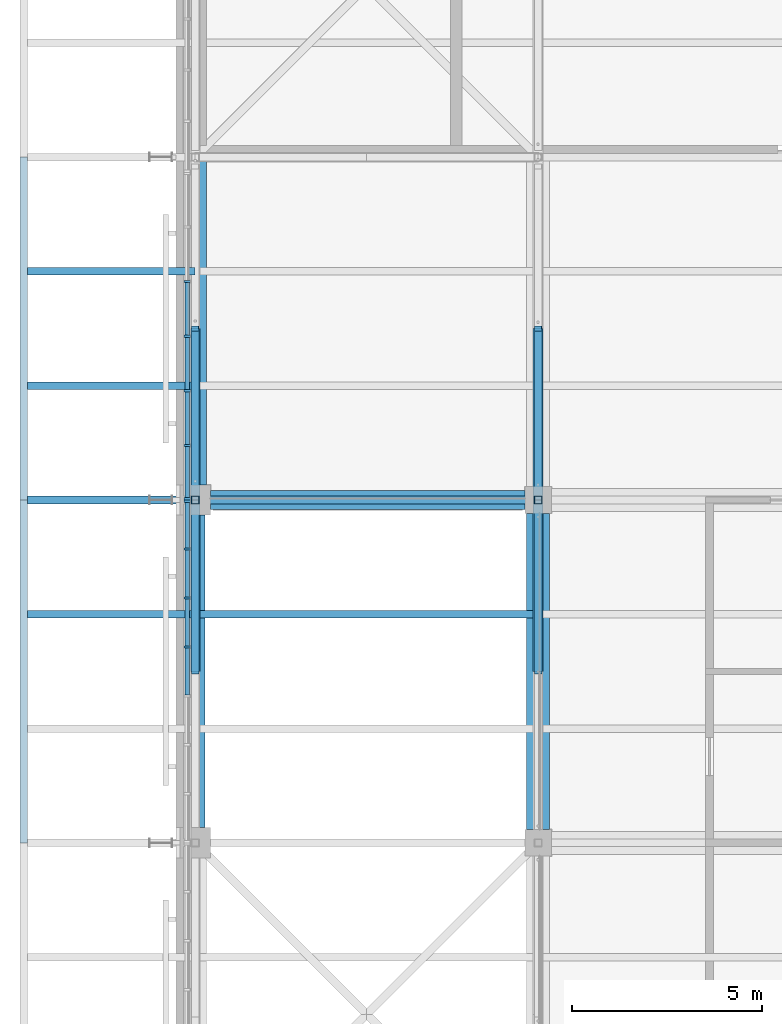
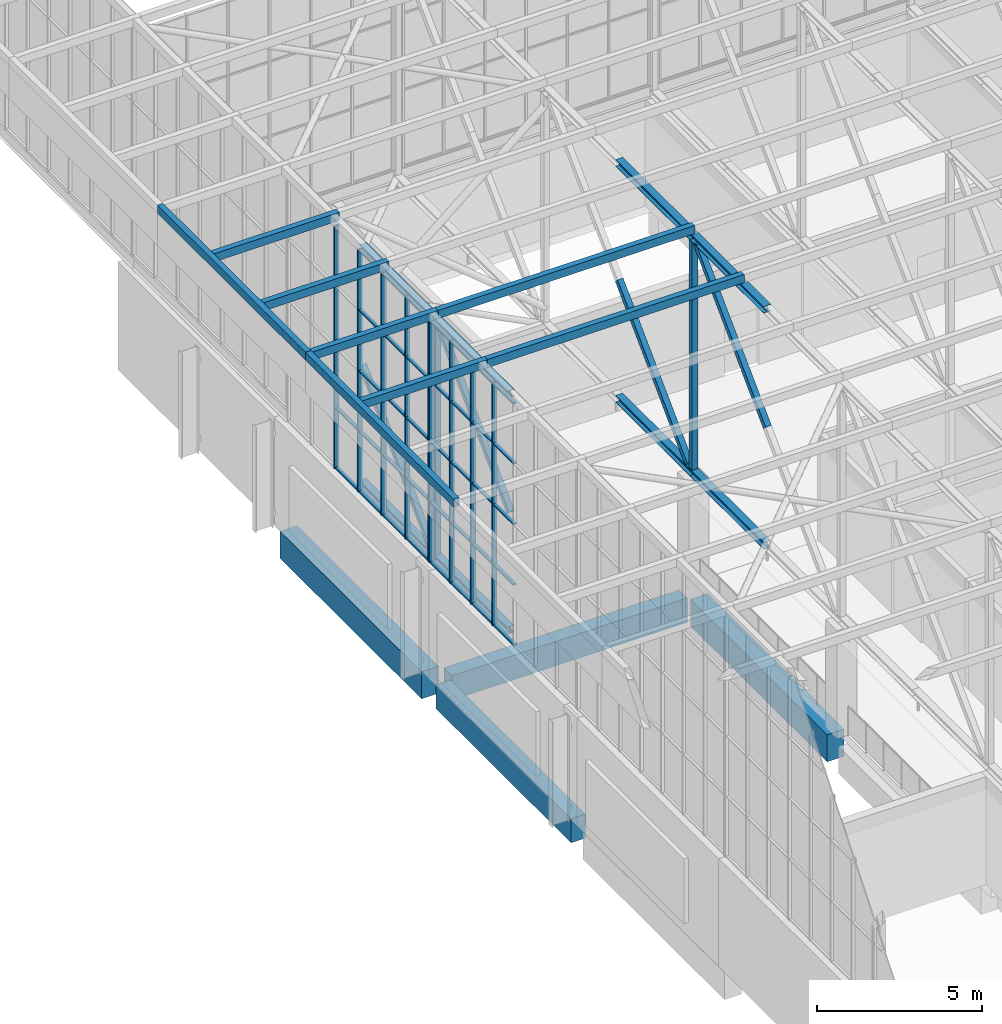
# One storey, part 62 of 646: 70 members, 4 beams, 2 elements without a shape of their own.
"""IFC4 building model written with IfcOpenShell, lengths in metres."""

import ifcopenshell
import ifcopenshell.guid

model = None  # the IFC model being written
_history = None  # IfcOwnerHistory: only IFC2X3 demands one
_inside = {}  # id of a spatial element -> (the spatial element, [elements in it])
_under = {}  # id of a project, library or spatial element -> (it, [spatial elements below it])
_declared = {}  # id of a project -> (the project, [libraries it declares])
_typed = {}  # id of a type object -> (the type object, [elements of that type])
_made_of = {}  # id of a material, layer set ... -> (it, [elements and type objects made of it])


def new_model(schema):
    """Start an empty IFC model of exactly this schema.

    Asked for "IFC4X3", IfcOpenShell would pick the latest addendum, in which some entities
    have other attributes; the version numbers below select the first issue.
    IFC2X3 requires an IfcOwnerHistory on every rooted entity: one is made here for all.
    """
    global model, _history
    if schema == "IFC4X3":
        model = ifcopenshell.file(schema_version=(4, 3, 0, 0))
    else:
        model = ifcopenshell.file(schema=schema)
    _inside.clear()
    _under.clear()
    _declared.clear()
    _typed.clear()
    _made_of.clear()
    _history = None
    if model.schema == "IFC2X3":
        org = make("IfcOrganization", Name="unknown")
        user = make(
            "IfcPersonAndOrganization",
            ThePerson=make("IfcPerson", FamilyName="unknown"),
            TheOrganization=org,
        )
        app = make(
            "IfcApplication",
            ApplicationDeveloper=org,
            Version="unknown",
            ApplicationFullName="unknown",
            ApplicationIdentifier="unknown",
        )
        _history = make(
            "IfcOwnerHistory",
            OwningUser=user,
            OwningApplication=app,
            ChangeAction="ADDED",
            CreationDate=0,
        )
    return model


def make(cls, **values):
    """One entity of the class cls with the attributes given. An attribute that is None is left unset."""
    return model.create_entity(
        cls, **{name: value for name, value in values.items() if value is not None}
    )


def rooted(cls, **values):
    """An entity with a GlobalId (a new one), such as an element, a storey or a relation."""
    return make(cls, GlobalId=ifcopenshell.guid.new(), OwnerHistory=_history, **values)


def si_unit(unit_type, name, prefix=None):
    """IfcSIUnit, for example si_unit("LENGTHUNIT", "METRE", prefix="MILLI")."""
    return make("IfcSIUnit", UnitType=unit_type, Prefix=prefix, Name=name)


def assignment(units):
    """IfcUnitAssignment: the units of a project."""
    return None if units is None else make("IfcUnitAssignment", Units=units)


def point(xyz):
    """IfcCartesianPoint."""
    return None if xyz is None else make("IfcCartesianPoint", Coordinates=xyz)


def direction(xyz):
    """IfcDirection."""
    return None if xyz is None else make("IfcDirection", DirectionRatios=xyz)


def frame(location, z_axis=None, x_axis=None):
    """IfcAxis2Placement3D, a coordinate frame: its origin and axes. An axis left out is left unset."""
    return make(
        "IfcAxis2Placement3D",
        Location=point(location),
        Axis=direction(z_axis),
        RefDirection=direction(x_axis),
    )


def frame_2d(location, x_axis=None):
    """IfcAxis2Placement2D, a coordinate frame in the plane: its origin and x axis."""
    return make(
        "IfcAxis2Placement2D", Location=point(location), RefDirection=direction(x_axis)
    )


def origin():
    """The frame at (0, 0, 0) with its axes left unset."""
    return frame((0.0, 0.0, 0.0))


def origin_2d():
    """The frame at (0, 0) in the plane with its x axis left unset."""
    return frame_2d((0.0, 0.0))


def place(relative_to, where):
    """IfcLocalPlacement: puts the frame where relative to a parent placement (None: the world)."""
    return make(
        "IfcLocalPlacement", PlacementRelTo=relative_to, RelativePlacement=where
    )


def context(
    kind, dimensions, precision=None, world=None, true_north=None, identifier=None
):
    """IfcGeometricRepresentationContext, for example the 3D "Model" context."""
    return make(
        "IfcGeometricRepresentationContext",
        ContextIdentifier=identifier,
        ContextType=kind,
        CoordinateSpaceDimension=dimensions,
        Precision=precision,
        WorldCoordinateSystem=world,
        TrueNorth=true_north,
    )


def subcontext(parent, identifier, kind, view, scale=None):
    """IfcGeometricRepresentationSubContext, for example "Body" below "Model"."""
    return make(
        "IfcGeometricRepresentationSubContext",
        ContextIdentifier=identifier,
        ContextType=kind,
        ParentContext=parent,
        TargetScale=scale,
        TargetView=view,
    )


def project(units=None, contexts=None):
    """IfcProject with its units and contexts."""
    return rooted(
        "IfcProject",
        Name="project",
        RepresentationContexts=contexts,
        UnitsInContext=assignment(units),
    )


def spatial(cls, under=None, at=None, **own):
    """A site, building, storey or space (cls), placed at a placement, below another one or the project."""
    s = rooted(cls, ObjectPlacement=at, **own)
    if under is not None:
        _under.setdefault(under.id(), (under, []))[1].append(s)
    return s


def profile(cls, at=None, kind="AREA", **sizes):
    """A parametric profile (cls). Its sizes go by their IFC names, for example OverallWidth=200.0."""
    return make(cls, ProfileType=kind, Position=at, **sizes)


def rectangle(**sizes):
    """IfcRectangleProfileDef."""
    return profile("IfcRectangleProfileDef", **sizes)


def hollow_rectangle(**sizes):
    """IfcRectangleHollowProfileDef."""
    return profile("IfcRectangleHollowProfileDef", **sizes)


def i_section(**sizes):
    """IfcIShapeProfileDef."""
    return profile("IfcIShapeProfileDef", **sizes)


def extrude(swept, where, along, depth):
    """IfcExtrudedAreaSolid: the profile swept, set in the frame where, extruded along a direction by depth."""
    return make(
        "IfcExtrudedAreaSolid",
        SweptArea=swept,
        Position=where,
        ExtrudedDirection=direction(along),
        Depth=depth,
    )


def shape(context_of_items, identifier, shape_type, items):
    """IfcShapeRepresentation: the items that make up one representation, for example the "Body"."""
    return make(
        "IfcShapeRepresentation",
        ContextOfItems=context_of_items,
        RepresentationIdentifier=identifier,
        RepresentationType=shape_type,
        Items=items,
    )


def material(Name=None, Category=None):
    """IfcMaterial."""
    return make("IfcMaterial", Name=Name, Category=Category)


def material_profile(
    of_material, cross_section, Name=None, Category=None, Priority=None
):
    """IfcMaterialProfile: a cross section and its material."""
    return make(
        "IfcMaterialProfile",
        Name=Name,
        Material=of_material,
        Profile=cross_section,
        Priority=Priority,
        Category=Category,
    )


def profile_set(profiles, Name=None, composite=None):
    """IfcMaterialProfileSet."""
    return make(
        "IfcMaterialProfileSet",
        Name=Name,
        MaterialProfiles=profiles,
        CompositeProfile=composite,
    )


def made_of(thing, what):
    """Note that an element or type object is made of a material, layer set ...; save() writes the relation."""
    if what is not None:
        _made_of.setdefault(what.id(), (what, []))[1].append(thing)
    return thing


def type_object(cls, material=None, **own):
    """A type object (cls), such as IfcWallType, which elements share."""
    return made_of(rooted(cls, **own), material)


def element(
    cls,
    number,
    at=None,
    inside=None,
    cuts=None,
    type_object=None,
    material=None,
    context=None,
    identifier="Body",
    shape_type=None,
    held_by="IfcProductDefinitionShape",
    body=None,
    shapes=None,
    **own,
):
    """One element of the class cls, such as IfcWall. Its Tag is "e" and its number.

    at: its placement. inside: the storey or other place that contains it. cuts: it is an
    opening in that element (IfcRelVoidsElement). A single representation is given by context,
    identifier, shape_type and body (its items); several are given by shapes. held_by: the class
    of the entity that holds the representations. save() writes the other relations.
    """
    e = rooted(cls, Tag="e%d" % number, ObjectPlacement=at, **own)
    if body is not None:
        shapes = [shape(context, identifier, shape_type, body)]
    if shapes is not None:
        e.Representation = make(held_by, Representations=shapes)
    if inside is not None:
        _inside.setdefault(inside.id(), (inside, []))[1].append(e)
    if cuts is not None:
        rooted(
            "IfcRelVoidsElement", RelatingBuildingElement=cuts, RelatedOpeningElement=e
        )
    if type_object is not None:
        _typed.setdefault(type_object.id(), (type_object, []))[1].append(e)
    return made_of(e, material)


def aggregate(whole, parts):
    """IfcRelAggregates: a whole, such as a stair, and the parts it consists of."""
    return rooted("IfcRelAggregates", RelatingObject=whole, RelatedObjects=parts)


def save(model, path):
    """Write the relations noted so far, then the file.

    IfcRelAggregates (storeys below a building ...), IfcRelContainedInSpatialStructure (elements
    in a storey), IfcRelDefinesByType, IfcRelAssociatesMaterial and IfcRelDeclares: one each for
    every whole, place, type object, material and project.
    """
    for whole, parts in _under.values():
        aggregate(whole, parts)
    for where, things in _inside.values():
        rooted(
            "IfcRelContainedInSpatialStructure",
            RelatedElements=things,
            RelatingStructure=where,
        )
    for kind, things in _typed.values():
        rooted("IfcRelDefinesByType", RelatedObjects=things, RelatingType=kind)
    for what, things in _made_of.values():
        rooted("IfcRelAssociatesMaterial", RelatedObjects=things, RelatingMaterial=what)
    for by, libraries in _declared.values():
        rooted("IfcRelDeclares", RelatingContext=by, RelatedDefinitions=libraries)
    model.write(path)


model = new_model("IFC4")

# Units and contexts
model_context = context("Model", 3, precision=1e-05, world=origin(), true_north=direction((0.0, 1.0)))
body_context = subcontext(model_context, "Body", "Model", "MODEL_VIEW")
ifc_project = project(units=[si_unit("LENGTHUNIT", "METRE"), si_unit("AREAUNIT", "SQUARE_METRE"), si_unit("VOLUMEUNIT", "CUBIC_METRE"), si_unit("PLANEANGLEUNIT", "RADIAN"), si_unit("MASSUNIT", "GRAM", prefix="KILO")], contexts=[model_context])

# Site, building, storey
site_placement = place(None, origin())
site = spatial("IfcSite", under=ifc_project, at=site_placement, CompositionType="ELEMENT")
building_placement = place(site_placement, origin())
building = spatial("IfcBuilding", under=site, at=building_placement, Name="Silverbay Arena", CompositionType="ELEMENT")
storey_placement = place(building_placement, frame((0.0, 0.0, 33.5)))
storey = spatial("IfcBuildingStorey", under=building, at=storey_placement, Name="L05", CompositionType="ELEMENT", Elevation=33.5)

# Curtain wall, members
ifc_material_1 = material(Name="Aluminium framed glazing", Category="aluminium")
curtain_wall_type_1 = type_object("IfcCurtainWallType", Name="Curtain wall clerestory 9000 x 9000", PredefinedType="NOTDEFINED", material=ifc_material_1)
curtain_wall_1_placement = place(storey_placement, origin())
curtain_wall_1 = element("IfcCurtainWall", 1, at=curtain_wall_1_placement, inside=storey, type_object=curtain_wall_type_1, Name="ROOF GABLE CLERESTORY CURTAIN WALL west bay 13", PredefinedType="NOTDEFINED")
ifc_material_2 = material(Name="Aluminium", Category="aluminium")
ifc_material_profile_1 = material_profile(ifc_material_2, rectangle(XDim=0.159912109375, YDim=0.06005859375, at=origin_2d()), Name="Mullion 60 x 160")
ifc_profile_set_1 = profile_set([ifc_material_profile_1], Name="Aluminium")
member_type_1 = type_object("IfcMemberType", Name="Mullion 60 x 160", PredefinedType="MULLION", material=ifc_profile_set_1)
member_1_placement = place(storey_placement, frame((53.7900390625, 122.142822265625, 4.0), z_axis=(0.0, 0.0, 1.0), x_axis=(-1.0, 0.0, 0.0)))
member_1 = element("IfcMember", 2, at=member_1_placement, type_object=member_type_1, Name="CW60 mullion 5", PredefinedType="MULLION", context=body_context, shape_type="SweptSolid", body=[
    extrude(rectangle(XDim=0.159912109375, YDim=0.06005859375, at=origin_2d()), origin(), (0.0, 0.0, 1.0), 9.0),
])
member_2_placement = place(storey_placement, frame((53.7900390625, 123.428466796875, 4.0), z_axis=(0.0, 0.0, 1.0), x_axis=(-1.0, 0.0, 0.0)))
member_2 = element("IfcMember", 3, at=member_2_placement, type_object=member_type_1, Name="CW60 mullion 6", PredefinedType="MULLION", context=body_context, shape_type="SweptSolid", body=[
    extrude(rectangle(XDim=0.159912109375, YDim=0.06005859375, at=origin_2d()), origin(), (0.0, 0.0, 1.0), 9.0),
])
member_3_placement = place(storey_placement, frame((53.7900390625, 124.71435546875, 4.0), z_axis=(0.0, 0.0, 1.0), x_axis=(-1.0, 0.0, 0.0)))
member_3 = element("IfcMember", 4, at=member_3_placement, type_object=member_type_1, Name="CW60 mullion 7", PredefinedType="MULLION", context=body_context, shape_type="SweptSolid", body=[
    extrude(rectangle(XDim=0.159912109375, YDim=0.06005859375, at=origin_2d()), origin(), (0.0, 0.0, 1.0), 9.0),
])
member_4_placement = place(storey_placement, frame((53.7900390625, 125.969970703125, 4.0), z_axis=(0.0, 0.0, 1.0), x_axis=(-1.0, 0.0, 0.0)))
member_4 = element("IfcMember", 5, at=member_4_placement, type_object=member_type_1, Name="CW60 mullion 8", PredefinedType="MULLION", context=body_context, shape_type="SweptSolid", body=[
    extrude(rectangle(XDim=0.159912109375, YDim=0.06005859375, at=origin_2d()), origin(), (0.0, 0.0, 1.0), 9.0),
])

ifc_material_3 = material(Name="Aluminium framed glazing", Category="aluminium")
curtain_wall_type_2 = type_object("IfcCurtainWallType", Name="Curtain wall clerestory 8600 x 9000", PredefinedType="NOTDEFINED", material=ifc_material_3)
curtain_wall_2_placement = place(storey_placement, origin())
curtain_wall_2 = element("IfcCurtainWall", 6, at=curtain_wall_2_placement, inside=storey, type_object=curtain_wall_type_2, Name="ROOF GABLE CLERESTORY CURTAIN WALL west bay 14", PredefinedType="NOTDEFINED")
member_5_placement = place(storey_placement, frame((53.7900390625, 126.030029296875, 4.0), z_axis=(0.0, 0.0, 1.0), x_axis=(-1.0, 0.0, 0.0)))
member_5 = element("IfcMember", 7, at=member_5_placement, type_object=member_type_1, Name="CW59 mullion 1", PredefinedType="MULLION", context=body_context, shape_type="SweptSolid", body=[
    extrude(rectangle(XDim=0.159912109375, YDim=0.06005859375, at=origin_2d()), origin(), (0.0, 0.0, 1.0), 9.0),
])
member_6_placement = place(storey_placement, frame((53.7900390625, 127.433349609375, 4.0), z_axis=(0.0, 0.0, 1.0), x_axis=(-1.0, 0.0, 0.0)))
member_6 = element("IfcMember", 8, at=member_6_placement, type_object=member_type_1, Name="CW59 mullion 2", PredefinedType="MULLION", context=body_context, shape_type="SweptSolid", body=[
    extrude(rectangle(XDim=0.159912109375, YDim=0.06005859375, at=origin_2d()), origin(), (0.0, 0.0, 1.0), 9.0),
])
member_7_placement = place(storey_placement, frame((53.7900390625, 128.86669921875, 4.0), z_axis=(0.0, 0.0, 1.0), x_axis=(-1.0, 0.0, 0.0)))
member_7 = element("IfcMember", 9, at=member_7_placement, type_object=member_type_1, Name="CW59 mullion 3", PredefinedType="MULLION", context=body_context, shape_type="SweptSolid", body=[
    extrude(rectangle(XDim=0.159912109375, YDim=0.06005859375, at=origin_2d()), origin(), (0.0, 0.0, 1.0), 9.0),
])
member_8_placement = place(storey_placement, frame((53.7900390625, 130.300048828125, 4.0), z_axis=(0.0, 0.0, 1.0), x_axis=(-1.0, 0.0, 0.0)))
member_8 = element("IfcMember", 10, at=member_8_placement, type_object=member_type_1, Name="CW59 mullion 4", PredefinedType="MULLION", context=body_context, shape_type="SweptSolid", body=[
    extrude(rectangle(XDim=0.159912109375, YDim=0.06005859375, at=origin_2d()), origin(), (0.0, 0.0, 1.0), 9.0),
])
member_9_placement = place(storey_placement, frame((53.7900390625, 131.7333984375, 4.0), z_axis=(0.0, 0.0, 1.0), x_axis=(-1.0, 0.0, 0.0)))
member_9 = element("IfcMember", 11, at=member_9_placement, type_object=member_type_1, Name="CW59 mullion 5", PredefinedType="MULLION", context=body_context, shape_type="SweptSolid", body=[
    extrude(rectangle(XDim=0.159912109375, YDim=0.06005859375, at=origin_2d()), origin(), (0.0, 0.0, 1.0), 9.0),
])

# Members
ifc_material_4 = material(Name="Steel S355", Category="steel")
ifc_material_profile_2 = material_profile(ifc_material_4, hollow_rectangle(XDim=0.199951171875, YDim=0.300048828125, WallThickness=0.008056640625, at=origin_2d()), Name="RHS 300x200x8")
ifc_profile_set_2 = profile_set([ifc_material_profile_2], Name="Steel S355")
member_type_2 = type_object("IfcMemberType", Name="Purlin RHS 300x200x8", PredefinedType="PURLIN", material=ifc_profile_set_2)
for number, where, z_axis, x_axis, name in (
    (12, (54.0, 123.0, 13.14990234375), (1.0, 0.0, 0.0), (0.0, 1.0, 0.0), "ROOF PURLIN 7-8 line 39"),
    (13, (54.0, 126.0, 13.14990234375), (1.0, 0.0, 0.0), (0.0, 1.0, 0.0), "ROOF PURLIN 7-8 line 40"),
):
    element("IfcMember", number, at=place(storey_placement, frame(where, z_axis=z_axis, x_axis=x_axis)), inside=storey, type_object=member_type_2, Name=name, PredefinedType="PURLIN", context=body_context, shape_type="SweptSolid", body=[
        extrude(hollow_rectangle(XDim=0.199951171875, YDim=0.300048828125, WallThickness=0.008056640625, at=origin_2d()), origin(), (0.0, 0.0, 1.0), 9.0),
    ])
for number, where, z_axis, x_axis, name in (
    (14, (49.60009765625, 123.0, 13.14990234375), (1.0, 0.0, 0.0), (0.0, 1.0, 0.0), "ROOF PURLIN west eave line 39"),
    (15, (49.60009765625, 126.0, 13.14990234375), (1.0, 0.0, 0.0), (0.0, 1.0, 0.0), "ROOF PURLIN west eave line 40"),
    (16, (49.60009765625, 129.0, 13.14990234375), (1.0, 0.0, 0.0), (0.0, 1.0, 0.0), "ROOF PURLIN west eave line 41"),
    (17, (49.60009765625, 132.0, 13.14990234375), (1.0, 0.0, 0.0), (0.0, 1.0, 0.0), "ROOF PURLIN west eave line 42"),
):
    element("IfcMember", number, at=place(storey_placement, frame(where, z_axis=z_axis, x_axis=x_axis)), inside=storey, type_object=member_type_2, Name=name, PredefinedType="PURLIN", context=body_context, shape_type="SweptSolid", body=[
        extrude(hollow_rectangle(XDim=0.199951171875, YDim=0.300048828125, WallThickness=0.008056640625, at=origin_2d()), origin(), (0.0, 0.0, 1.0), 4.39990234375),
    ])
for number, where, z_axis, x_axis, name in (
    (18, (49.5, 117.0, 13.14990234375), (0.0, 1.0, 0.0), (-1.0, 0.0, 0.0), "ROOF PURLIN west eave edge 13"),
    (19, (49.5, 126.0, 13.14990234375), (0.0, 1.0, 0.0), (-1.0, 0.0, 0.0), "ROOF PURLIN west eave edge 14"),
):
    element("IfcMember", number, at=place(storey_placement, frame(where, z_axis=z_axis, x_axis=x_axis)), inside=storey, type_object=member_type_2, Name=name, PredefinedType="PURLIN", context=body_context, shape_type="SweptSolid", body=[
        extrude(hollow_rectangle(XDim=0.199951171875, YDim=0.300048828125, WallThickness=0.008056640625, at=origin_2d()), origin(), (0.0, 0.0, 1.0), 9.0),
    ])

# Beams
ifc_material_5 = material(Name="Concrete Grade C45", Category="concrete")
ifc_material_profile_3 = material_profile(ifc_material_5, rectangle(XDim=0.5, YDim=0.89990234375, at=origin_2d()), Name="RC 500x900")
ifc_profile_set_3 = profile_set([ifc_material_profile_3], Name="Concrete Grade C45")
beam_type_1 = type_object("IfcBeamType", Name="RC beam 500x900", PredefinedType="BEAM", material=ifc_profile_set_3)
beam_1_placement = place(storey_placement, frame((54.39990234375, 126.0, -0.75), z_axis=(1.0, 0.0, 0.0), x_axis=(0.0, 1.0, 0.0)))
element("IfcBeam", 20, at=beam_1_placement, inside=storey, type_object=beam_type_1, Name="Floor beam L05 057", PredefinedType="BEAM", context=body_context, shape_type="SweptSolid", body=[
    extrude(rectangle(XDim=0.5, YDim=0.89990234375, at=origin_2d()), origin(), (0.0, 0.0, 1.0), 8.25),
])
beam_2_placement = place(storey_placement, frame((54.0, 117.39990234375, -0.75), z_axis=(0.0, 1.0, 0.0), x_axis=(-1.0, 0.0, 0.0)))
element("IfcBeam", 21, at=beam_2_placement, inside=storey, type_object=beam_type_1, Name="Floor beam L05 077", PredefinedType="BEAM", context=body_context, shape_type="SweptSolid", body=[
    extrude(rectangle(XDim=0.5, YDim=0.89990234375, at=origin_2d()), origin(), (0.0, 0.0, 1.0), 8.2001953125),
])
ifc_material_6 = material(Name="Concrete Grade C45", Category="concrete")
ifc_material_profile_4 = material_profile(ifc_material_6, rectangle(XDim=0.60009765625, YDim=1.0, at=origin_2d()), Name="RC 600x1000")
ifc_profile_set_4 = profile_set([ifc_material_profile_4], Name="Concrete Grade C45")
beam_type_2 = type_object("IfcBeamType", Name="RC beam 600x1000", PredefinedType="BEAM", material=ifc_profile_set_4)
beam_3_placement = place(storey_placement, frame((54.0, 126.39990234375, -0.800048828125), z_axis=(0.0, 1.0, 0.0), x_axis=(-1.0, 0.0, 0.0)))
element("IfcBeam", 22, at=beam_3_placement, inside=storey, type_object=beam_type_2, Name="Floor beam L05 078", PredefinedType="BEAM", context=body_context, shape_type="SweptSolid", body=[
    extrude(rectangle(XDim=0.60009765625, YDim=1.0, at=origin_2d()), origin(), (0.0, 0.0, 1.0), 8.60009765625),
])
beam_4_placement = place(storey_placement, frame((63.0, 117.35009765625, -0.800048828125), z_axis=(0.0, 1.0, 0.0), x_axis=(-1.0, 0.0, 0.0)))
element("IfcBeam", 23, at=beam_4_placement, inside=storey, type_object=beam_type_2, Name="Floor beam L05 085", PredefinedType="BEAM", context=body_context, shape_type="SweptSolid", body=[
    extrude(rectangle(XDim=0.60009765625, YDim=1.0, at=origin_2d()), origin(), (0.0, 0.0, 1.0), 8.2998046875),
])

# Members
ifc_material_7 = material(Name="Steel S355", Category="steel")
ifc_material_profile_5 = material_profile(ifc_material_7, i_section(OverallWidth=0.254638671875, OverallDepth=0.254150390625, WebThickness=0.008544921875, FlangeThickness=0.01416015625, at=origin_2d()), Name="UC 254x254x73")
ifc_profile_set_5 = profile_set([ifc_material_profile_5], Name="Steel S355")
member_type_3 = type_object("IfcMemberType", Name="Short-span bottom chord UC 254x254x73", PredefinedType="CHORD", material=ifc_profile_set_5)
for number, where, z_axis, x_axis, name in (
    (24, (54.0, 121.5, 4.126953125), (0.0, 1.0, 0.0), (-1.0, 0.0, 0.0), "ROOF TRUSS 7 bottom chord 13b"),
    (25, (54.0, 126.0, 4.126953125), (0.0, 1.0, 0.0), (-1.0, 0.0, 0.0), "ROOF TRUSS 7 bottom chord 14a"),
    (26, (63.0, 121.5, 4.126953125), (0.0, 1.0, 0.0), (-1.0, 0.0, 0.0), "ROOF TRUSS 8 bottom chord 13b"),
    (27, (63.0, 126.0, 4.126953125), (0.0, 1.0, 0.0), (-1.0, 0.0, 0.0), "ROOF TRUSS 8 bottom chord 14a"),
):
    element("IfcMember", number, at=place(storey_placement, frame(where, z_axis=z_axis, x_axis=x_axis)), inside=storey, type_object=member_type_3, Name=name, PredefinedType="CHORD", context=body_context, shape_type="SweptSolid", body=[
        extrude(i_section(OverallWidth=0.254638671875, OverallDepth=0.254150390625, WebThickness=0.008544921875, FlangeThickness=0.01416015625, at=origin_2d()), origin(), (0.0, 0.0, 1.0), 4.5),
    ])
ifc_material_8 = material(Name="Steel S355", Category="steel")
ifc_material_profile_6 = material_profile(ifc_material_8, i_section(OverallWidth=0.254638671875, OverallDepth=0.254150390625, WebThickness=0.008544921875, FlangeThickness=0.01416015625, at=origin_2d()), Name="UC 254x254x73")
ifc_profile_set_6 = profile_set([ifc_material_profile_6], Name="Steel S355")
member_type_4 = type_object("IfcMemberType", Name="Short-span top chord UC 254x254x73", PredefinedType="CHORD", material=ifc_profile_set_6)
for number, where, z_axis, x_axis, name in (
    (28, (54.0, 121.5, 12.873046875), (0.0, 1.0, 0.0), (-1.0, 0.0, 0.0), "ROOF TRUSS 7 top chord 13b"),
    (29, (54.0, 126.0, 12.873046875), (0.0, 1.0, 0.0), (-1.0, 0.0, 0.0), "ROOF TRUSS 7 top chord 14a"),
    (30, (63.0, 121.5, 12.873046875), (0.0, 1.0, 0.0), (-1.0, 0.0, 0.0), "ROOF TRUSS 8 top chord 13b"),
    (31, (63.0, 126.0, 12.873046875), (0.0, 1.0, 0.0), (-1.0, 0.0, 0.0), "ROOF TRUSS 8 top chord 14a"),
):
    element("IfcMember", number, at=place(storey_placement, frame(where, z_axis=z_axis, x_axis=x_axis)), inside=storey, type_object=member_type_4, Name=name, PredefinedType="CHORD", context=body_context, shape_type="SweptSolid", body=[
        extrude(i_section(OverallWidth=0.254638671875, OverallDepth=0.254150390625, WebThickness=0.008544921875, FlangeThickness=0.01416015625, at=origin_2d()), origin(), (0.0, 0.0, 1.0), 4.5),
    ])
ifc_material_9 = material(Name="Steel S355", Category="steel")
ifc_material_profile_7 = material_profile(ifc_material_9, hollow_rectangle(XDim=0.199951171875, YDim=0.199951171875, WallThickness=0.008056640625, at=origin_2d()), Name="SHS 200x200x8")
ifc_profile_set_7 = profile_set([ifc_material_profile_7], Name="Steel S355")
member_type_5 = type_object("IfcMemberType", Name="Short-span truss diagonal SHS 200x200x8", PredefinedType="BRACE", material=ifc_profile_set_7)
for number, where, z_axis, x_axis, name in (
    (32, (54.0, 125.75439453125, 12.745849609375), (0.0, -0.70781724692, -0.706395600894), (1.0, 0.0, 0.0), "ROOF TRUSS 7 diagonal 13a"),
    (33, (54.0, 130.5, 8.5), (0.0, -0.70781724692, -0.706395600894), (1.0, 0.0, 0.0), "ROOF TRUSS 7 diagonal 14b"),
    (34, (63.0, 125.75439453125, 12.745849609375), (0.0, -0.70781724692, -0.706395600894), (1.0, 0.0, 0.0), "ROOF TRUSS 8 diagonal 13a"),
    (35, (63.0, 130.5, 8.5), (0.0, -0.70781724692, -0.706395600894), (1.0, 0.0, 0.0), "ROOF TRUSS 8 diagonal 14b"),
):
    element("IfcMember", number, at=place(storey_placement, frame(where, z_axis=z_axis, x_axis=x_axis)), inside=storey, type_object=member_type_5, Name=name, PredefinedType="BRACE", context=body_context, shape_type="SweptSolid", body=[
        extrude(hollow_rectangle(XDim=0.199951171875, YDim=0.199951171875, WallThickness=0.008056640625, at=origin_2d()), origin(), (0.0, 0.0, 1.0), 6.010498046875),
    ])
ifc_material_10 = material(Name="Steel S355", Category="steel")
ifc_material_profile_8 = material_profile(ifc_material_10, hollow_rectangle(XDim=0.199951171875, YDim=0.199951171875, WallThickness=0.008056640625, at=origin_2d()), Name="SHS 200x200x8")
ifc_profile_set_8 = profile_set([ifc_material_profile_8], Name="Steel S355")
member_type_6 = type_object("IfcMemberType", Name="Short-span truss vertical SHS 200x200x8", PredefinedType="STRUT", material=ifc_profile_set_8)
for number, where, z_axis, x_axis, name in (
    (36, (54.0, 126.0, 4.254150390625), (0.0, 0.0, 1.0), (1.0, 0.0, 0.0), "ROOF TRUSS 7 vertical 14a"),
    (37, (54.0, 126.0, 8.5), (0.0, 0.0, 1.0), (1.0, 0.0, 0.0), "ROOF TRUSS 7 vertical 14b"),
    (38, (63.0, 126.0, 4.254150390625), (0.0, 0.0, 1.0), (1.0, 0.0, 0.0), "ROOF TRUSS 8 vertical 14a"),
    (39, (63.0, 126.0, 8.5), (0.0, 0.0, 1.0), (1.0, 0.0, 0.0), "ROOF TRUSS 8 vertical 14b"),
):
    element("IfcMember", number, at=place(storey_placement, frame(where, z_axis=z_axis, x_axis=x_axis)), inside=storey, type_object=member_type_6, Name=name, PredefinedType="STRUT", context=body_context, shape_type="SweptSolid", body=[
        extrude(hollow_rectangle(XDim=0.199951171875, YDim=0.199951171875, WallThickness=0.008056640625, at=origin_2d()), origin(), (0.0, 0.0, 1.0), 4.245849609375),
    ])

# Member
ifc_material_11 = material(Name="Aluminium", Category="aluminium")
ifc_material_profile_9 = material_profile(ifc_material_11, rectangle(XDim=0.1201171875, YDim=0.050048828125, at=origin_2d()), Name="Transom 50 x 120")
ifc_profile_set_9 = profile_set([ifc_material_profile_9], Name="Aluminium")
member_type_7 = type_object("IfcMemberType", Name="Transom 50 x 120", PredefinedType="USERDEFINED", material=ifc_profile_set_9)
member_10_placement = place(storey_placement, frame((53.7900390625, 120.88720703125, 4.02490234375), z_axis=(0.0, 1.0, 0.0), x_axis=(-1.0, 0.0, 0.0)))
member_10 = element("IfcMember", 40, at=member_10_placement, type_object=member_type_7, Name="CW60 transom 4.1", ObjectType="TRANSOM", PredefinedType="USERDEFINED", context=body_context, shape_type="SweptSolid", body=[
    extrude(rectangle(XDim=0.1201171875, YDim=0.050048828125, at=origin_2d()), origin(), (0.0, 0.0, 1.0), 1.2255859375),
])

member_11_placement = place(storey_placement, frame((53.7900390625, 120.88720703125, 6.25), z_axis=(0.0, 1.0, 0.0), x_axis=(-1.0, 0.0, 0.0)))
member_11 = element("IfcMember", 41, at=member_11_placement, type_object=member_type_7, Name="CW60 transom 4.2", ObjectType="TRANSOM", PredefinedType="USERDEFINED", context=body_context, shape_type="SweptSolid", body=[
    extrude(rectangle(XDim=0.1201171875, YDim=0.050048828125, at=origin_2d()), origin(), (0.0, 0.0, 1.0), 1.2255859375),
])

member_12_placement = place(storey_placement, frame((53.7900390625, 120.88720703125, 8.5), z_axis=(0.0, 1.0, 0.0), x_axis=(-1.0, 0.0, 0.0)))
member_12 = element("IfcMember", 42, at=member_12_placement, type_object=member_type_7, Name="CW60 transom 4.3", ObjectType="TRANSOM", PredefinedType="USERDEFINED", context=body_context, shape_type="SweptSolid", body=[
    extrude(rectangle(XDim=0.1201171875, YDim=0.050048828125, at=origin_2d()), origin(), (0.0, 0.0, 1.0), 1.2255859375),
])

member_13_placement = place(storey_placement, frame((53.7900390625, 120.88720703125, 10.75), z_axis=(0.0, 1.0, 0.0), x_axis=(-1.0, 0.0, 0.0)))
member_13 = element("IfcMember", 43, at=member_13_placement, type_object=member_type_7, Name="CW60 transom 4.4", ObjectType="TRANSOM", PredefinedType="USERDEFINED", context=body_context, shape_type="SweptSolid", body=[
    extrude(rectangle(XDim=0.1201171875, YDim=0.050048828125, at=origin_2d()), origin(), (0.0, 0.0, 1.0), 1.2255859375),
])

member_14_placement = place(storey_placement, frame((53.7900390625, 120.88720703125, 12.97509765625), z_axis=(0.0, 1.0, 0.0), x_axis=(-1.0, 0.0, 0.0)))
member_14 = element("IfcMember", 44, at=member_14_placement, type_object=member_type_7, Name="CW60 transom 4.5", ObjectType="TRANSOM", PredefinedType="USERDEFINED", context=body_context, shape_type="SweptSolid", body=[
    extrude(rectangle(XDim=0.1201171875, YDim=0.050048828125, at=origin_2d()), origin(), (0.0, 0.0, 1.0), 1.2255859375),
])

member_15_placement = place(storey_placement, frame((53.7900390625, 122.1728515625, 4.02490234375), z_axis=(0.0, 1.0, 0.0), x_axis=(-1.0, 0.0, 0.0)))
member_15 = element("IfcMember", 45, at=member_15_placement, type_object=member_type_7, Name="CW60 transom 5.1", ObjectType="TRANSOM", PredefinedType="USERDEFINED", context=body_context, shape_type="SweptSolid", body=[
    extrude(rectangle(XDim=0.1201171875, YDim=0.050048828125, at=origin_2d()), origin(), (0.0, 0.0, 1.0), 1.225830078125),
])

member_16_placement = place(storey_placement, frame((53.7900390625, 122.1728515625, 6.25), z_axis=(0.0, 1.0, 0.0), x_axis=(-1.0, 0.0, 0.0)))
member_16 = element("IfcMember", 46, at=member_16_placement, type_object=member_type_7, Name="CW60 transom 5.2", ObjectType="TRANSOM", PredefinedType="USERDEFINED", context=body_context, shape_type="SweptSolid", body=[
    extrude(rectangle(XDim=0.1201171875, YDim=0.050048828125, at=origin_2d()), origin(), (0.0, 0.0, 1.0), 1.225830078125),
])

member_17_placement = place(storey_placement, frame((53.7900390625, 122.1728515625, 8.5), z_axis=(0.0, 1.0, 0.0), x_axis=(-1.0, 0.0, 0.0)))
member_17 = element("IfcMember", 47, at=member_17_placement, type_object=member_type_7, Name="CW60 transom 5.3", ObjectType="TRANSOM", PredefinedType="USERDEFINED", context=body_context, shape_type="SweptSolid", body=[
    extrude(rectangle(XDim=0.1201171875, YDim=0.050048828125, at=origin_2d()), origin(), (0.0, 0.0, 1.0), 1.225830078125),
])

member_18_placement = place(storey_placement, frame((53.7900390625, 122.1728515625, 10.75), z_axis=(0.0, 1.0, 0.0), x_axis=(-1.0, 0.0, 0.0)))
member_18 = element("IfcMember", 48, at=member_18_placement, type_object=member_type_7, Name="CW60 transom 5.4", ObjectType="TRANSOM", PredefinedType="USERDEFINED", context=body_context, shape_type="SweptSolid", body=[
    extrude(rectangle(XDim=0.1201171875, YDim=0.050048828125, at=origin_2d()), origin(), (0.0, 0.0, 1.0), 1.225830078125),
])

member_19_placement = place(storey_placement, frame((53.7900390625, 122.1728515625, 12.97509765625), z_axis=(0.0, 1.0, 0.0), x_axis=(-1.0, 0.0, 0.0)))
member_19 = element("IfcMember", 49, at=member_19_placement, type_object=member_type_7, Name="CW60 transom 5.5", ObjectType="TRANSOM", PredefinedType="USERDEFINED", context=body_context, shape_type="SweptSolid", body=[
    extrude(rectangle(XDim=0.1201171875, YDim=0.050048828125, at=origin_2d()), origin(), (0.0, 0.0, 1.0), 1.225830078125),
])

member_20_placement = place(storey_placement, frame((53.7900390625, 123.45849609375, 4.02490234375), z_axis=(0.0, 1.0, 0.0), x_axis=(-1.0, 0.0, 0.0)))
member_20 = element("IfcMember", 50, at=member_20_placement, type_object=member_type_7, Name="CW60 transom 6.1", ObjectType="TRANSOM", PredefinedType="USERDEFINED", context=body_context, shape_type="SweptSolid", body=[
    extrude(rectangle(XDim=0.1201171875, YDim=0.050048828125, at=origin_2d()), origin(), (0.0, 0.0, 1.0), 1.225830078125),
])

member_21_placement = place(storey_placement, frame((53.7900390625, 123.45849609375, 6.25), z_axis=(0.0, 1.0, 0.0), x_axis=(-1.0, 0.0, 0.0)))
member_21 = element("IfcMember", 51, at=member_21_placement, type_object=member_type_7, Name="CW60 transom 6.2", ObjectType="TRANSOM", PredefinedType="USERDEFINED", context=body_context, shape_type="SweptSolid", body=[
    extrude(rectangle(XDim=0.1201171875, YDim=0.050048828125, at=origin_2d()), origin(), (0.0, 0.0, 1.0), 1.225830078125),
])

member_22_placement = place(storey_placement, frame((53.7900390625, 123.45849609375, 8.5), z_axis=(0.0, 1.0, 0.0), x_axis=(-1.0, 0.0, 0.0)))
member_22 = element("IfcMember", 52, at=member_22_placement, type_object=member_type_7, Name="CW60 transom 6.3", ObjectType="TRANSOM", PredefinedType="USERDEFINED", context=body_context, shape_type="SweptSolid", body=[
    extrude(rectangle(XDim=0.1201171875, YDim=0.050048828125, at=origin_2d()), origin(), (0.0, 0.0, 1.0), 1.225830078125),
])

member_23_placement = place(storey_placement, frame((53.7900390625, 123.45849609375, 10.75), z_axis=(0.0, 1.0, 0.0), x_axis=(-1.0, 0.0, 0.0)))
member_23 = element("IfcMember", 53, at=member_23_placement, type_object=member_type_7, Name="CW60 transom 6.4", ObjectType="TRANSOM", PredefinedType="USERDEFINED", context=body_context, shape_type="SweptSolid", body=[
    extrude(rectangle(XDim=0.1201171875, YDim=0.050048828125, at=origin_2d()), origin(), (0.0, 0.0, 1.0), 1.225830078125),
])

member_24_placement = place(storey_placement, frame((53.7900390625, 123.45849609375, 12.97509765625), z_axis=(0.0, 1.0, 0.0), x_axis=(-1.0, 0.0, 0.0)))
member_24 = element("IfcMember", 54, at=member_24_placement, type_object=member_type_7, Name="CW60 transom 6.5", ObjectType="TRANSOM", PredefinedType="USERDEFINED", context=body_context, shape_type="SweptSolid", body=[
    extrude(rectangle(XDim=0.1201171875, YDim=0.050048828125, at=origin_2d()), origin(), (0.0, 0.0, 1.0), 1.225830078125),
])

member_25_placement = place(storey_placement, frame((53.7900390625, 124.744384765625, 4.02490234375), z_axis=(0.0, 1.0, 0.0), x_axis=(-1.0, 0.0, 0.0)))
member_25 = element("IfcMember", 55, at=member_25_placement, type_object=member_type_7, Name="CW60 transom 7.1", ObjectType="TRANSOM", PredefinedType="USERDEFINED", context=body_context, shape_type="SweptSolid", body=[
    extrude(rectangle(XDim=0.1201171875, YDim=0.050048828125, at=origin_2d()), origin(), (0.0, 0.0, 1.0), 1.195556640625),
])

member_26_placement = place(storey_placement, frame((53.7900390625, 124.744384765625, 6.25), z_axis=(0.0, 1.0, 0.0), x_axis=(-1.0, 0.0, 0.0)))
member_26 = element("IfcMember", 56, at=member_26_placement, type_object=member_type_7, Name="CW60 transom 7.2", ObjectType="TRANSOM", PredefinedType="USERDEFINED", context=body_context, shape_type="SweptSolid", body=[
    extrude(rectangle(XDim=0.1201171875, YDim=0.050048828125, at=origin_2d()), origin(), (0.0, 0.0, 1.0), 1.195556640625),
])

member_27_placement = place(storey_placement, frame((53.7900390625, 124.744384765625, 8.5), z_axis=(0.0, 1.0, 0.0), x_axis=(-1.0, 0.0, 0.0)))
member_27 = element("IfcMember", 57, at=member_27_placement, type_object=member_type_7, Name="CW60 transom 7.3", ObjectType="TRANSOM", PredefinedType="USERDEFINED", context=body_context, shape_type="SweptSolid", body=[
    extrude(rectangle(XDim=0.1201171875, YDim=0.050048828125, at=origin_2d()), origin(), (0.0, 0.0, 1.0), 1.195556640625),
])

member_28_placement = place(storey_placement, frame((53.7900390625, 124.744384765625, 10.75), z_axis=(0.0, 1.0, 0.0), x_axis=(-1.0, 0.0, 0.0)))
member_28 = element("IfcMember", 58, at=member_28_placement, type_object=member_type_7, Name="CW60 transom 7.4", ObjectType="TRANSOM", PredefinedType="USERDEFINED", context=body_context, shape_type="SweptSolid", body=[
    extrude(rectangle(XDim=0.1201171875, YDim=0.050048828125, at=origin_2d()), origin(), (0.0, 0.0, 1.0), 1.195556640625),
])

member_29_placement = place(storey_placement, frame((53.7900390625, 124.744384765625, 12.97509765625), z_axis=(0.0, 1.0, 0.0), x_axis=(-1.0, 0.0, 0.0)))
member_29 = element("IfcMember", 59, at=member_29_placement, type_object=member_type_7, Name="CW60 transom 7.5", ObjectType="TRANSOM", PredefinedType="USERDEFINED", context=body_context, shape_type="SweptSolid", body=[
    extrude(rectangle(XDim=0.1201171875, YDim=0.050048828125, at=origin_2d()), origin(), (0.0, 0.0, 1.0), 1.195556640625),
])

aggregate(curtain_wall_1, [member_1, member_2, member_3, member_4, member_10, member_11, member_12, member_13, member_14, member_15, member_16, member_17, member_18, member_19, member_20, member_21, member_22, member_23, member_24, member_25, member_26, member_27, member_28, member_29])

member_30_placement = place(storey_placement, frame((53.7900390625, 126.06005859375, 4.02490234375), z_axis=(0.0, 1.0, 0.0), x_axis=(-1.0, 0.0, 0.0)))
member_30 = element("IfcMember", 60, at=member_30_placement, type_object=member_type_7, Name="CW59 transom 1.1", ObjectType="TRANSOM", PredefinedType="USERDEFINED", context=body_context, shape_type="SweptSolid", body=[
    extrude(rectangle(XDim=0.1201171875, YDim=0.050048828125, at=origin_2d()), origin(), (0.0, 0.0, 1.0), 1.34326171875),
])

member_31_placement = place(storey_placement, frame((53.7900390625, 126.06005859375, 6.25), z_axis=(0.0, 1.0, 0.0), x_axis=(-1.0, 0.0, 0.0)))
member_31 = element("IfcMember", 61, at=member_31_placement, type_object=member_type_7, Name="CW59 transom 1.2", ObjectType="TRANSOM", PredefinedType="USERDEFINED", context=body_context, shape_type="SweptSolid", body=[
    extrude(rectangle(XDim=0.1201171875, YDim=0.050048828125, at=origin_2d()), origin(), (0.0, 0.0, 1.0), 1.34326171875),
])

member_32_placement = place(storey_placement, frame((53.7900390625, 126.06005859375, 8.5), z_axis=(0.0, 1.0, 0.0), x_axis=(-1.0, 0.0, 0.0)))
member_32 = element("IfcMember", 62, at=member_32_placement, type_object=member_type_7, Name="CW59 transom 1.3", ObjectType="TRANSOM", PredefinedType="USERDEFINED", context=body_context, shape_type="SweptSolid", body=[
    extrude(rectangle(XDim=0.1201171875, YDim=0.050048828125, at=origin_2d()), origin(), (0.0, 0.0, 1.0), 1.34326171875),
])

member_33_placement = place(storey_placement, frame((53.7900390625, 126.06005859375, 10.75), z_axis=(0.0, 1.0, 0.0), x_axis=(-1.0, 0.0, 0.0)))
member_33 = element("IfcMember", 63, at=member_33_placement, type_object=member_type_7, Name="CW59 transom 1.4", ObjectType="TRANSOM", PredefinedType="USERDEFINED", context=body_context, shape_type="SweptSolid", body=[
    extrude(rectangle(XDim=0.1201171875, YDim=0.050048828125, at=origin_2d()), origin(), (0.0, 0.0, 1.0), 1.34326171875),
])

member_34_placement = place(storey_placement, frame((53.7900390625, 126.06005859375, 12.97509765625), z_axis=(0.0, 1.0, 0.0), x_axis=(-1.0, 0.0, 0.0)))
member_34 = element("IfcMember", 64, at=member_34_placement, type_object=member_type_7, Name="CW59 transom 1.5", ObjectType="TRANSOM", PredefinedType="USERDEFINED", context=body_context, shape_type="SweptSolid", body=[
    extrude(rectangle(XDim=0.1201171875, YDim=0.050048828125, at=origin_2d()), origin(), (0.0, 0.0, 1.0), 1.34326171875),
])

member_35_placement = place(storey_placement, frame((53.7900390625, 127.46337890625, 4.02490234375), z_axis=(0.0, 1.0, 0.0), x_axis=(-1.0, 0.0, 0.0)))
member_35 = element("IfcMember", 65, at=member_35_placement, type_object=member_type_7, Name="CW59 transom 2.1", ObjectType="TRANSOM", PredefinedType="USERDEFINED", context=body_context, shape_type="SweptSolid", body=[
    extrude(rectangle(XDim=0.1201171875, YDim=0.050048828125, at=origin_2d()), origin(), (0.0, 0.0, 1.0), 1.373291015625),
])

member_36_placement = place(storey_placement, frame((53.7900390625, 127.46337890625, 6.25), z_axis=(0.0, 1.0, 0.0), x_axis=(-1.0, 0.0, 0.0)))
member_36 = element("IfcMember", 66, at=member_36_placement, type_object=member_type_7, Name="CW59 transom 2.2", ObjectType="TRANSOM", PredefinedType="USERDEFINED", context=body_context, shape_type="SweptSolid", body=[
    extrude(rectangle(XDim=0.1201171875, YDim=0.050048828125, at=origin_2d()), origin(), (0.0, 0.0, 1.0), 1.373291015625),
])

member_37_placement = place(storey_placement, frame((53.7900390625, 127.46337890625, 8.5), z_axis=(0.0, 1.0, 0.0), x_axis=(-1.0, 0.0, 0.0)))
member_37 = element("IfcMember", 67, at=member_37_placement, type_object=member_type_7, Name="CW59 transom 2.3", ObjectType="TRANSOM", PredefinedType="USERDEFINED", context=body_context, shape_type="SweptSolid", body=[
    extrude(rectangle(XDim=0.1201171875, YDim=0.050048828125, at=origin_2d()), origin(), (0.0, 0.0, 1.0), 1.373291015625),
])

member_38_placement = place(storey_placement, frame((53.7900390625, 127.46337890625, 10.75), z_axis=(0.0, 1.0, 0.0), x_axis=(-1.0, 0.0, 0.0)))
member_38 = element("IfcMember", 68, at=member_38_placement, type_object=member_type_7, Name="CW59 transom 2.4", ObjectType="TRANSOM", PredefinedType="USERDEFINED", context=body_context, shape_type="SweptSolid", body=[
    extrude(rectangle(XDim=0.1201171875, YDim=0.050048828125, at=origin_2d()), origin(), (0.0, 0.0, 1.0), 1.373291015625),
])

member_39_placement = place(storey_placement, frame((53.7900390625, 127.46337890625, 12.97509765625), z_axis=(0.0, 1.0, 0.0), x_axis=(-1.0, 0.0, 0.0)))
member_39 = element("IfcMember", 69, at=member_39_placement, type_object=member_type_7, Name="CW59 transom 2.5", ObjectType="TRANSOM", PredefinedType="USERDEFINED", context=body_context, shape_type="SweptSolid", body=[
    extrude(rectangle(XDim=0.1201171875, YDim=0.050048828125, at=origin_2d()), origin(), (0.0, 0.0, 1.0), 1.373291015625),
])

member_40_placement = place(storey_placement, frame((53.7900390625, 128.896728515625, 4.02490234375), z_axis=(0.0, 1.0, 0.0), x_axis=(-1.0, 0.0, 0.0)))
member_40 = element("IfcMember", 70, at=member_40_placement, type_object=member_type_7, Name="CW59 transom 3.1", ObjectType="TRANSOM", PredefinedType="USERDEFINED", context=body_context, shape_type="SweptSolid", body=[
    extrude(rectangle(XDim=0.1201171875, YDim=0.050048828125, at=origin_2d()), origin(), (0.0, 0.0, 1.0), 1.373291015625),
])

member_41_placement = place(storey_placement, frame((53.7900390625, 128.896728515625, 6.25), z_axis=(0.0, 1.0, 0.0), x_axis=(-1.0, 0.0, 0.0)))
member_41 = element("IfcMember", 71, at=member_41_placement, type_object=member_type_7, Name="CW59 transom 3.2", ObjectType="TRANSOM", PredefinedType="USERDEFINED", context=body_context, shape_type="SweptSolid", body=[
    extrude(rectangle(XDim=0.1201171875, YDim=0.050048828125, at=origin_2d()), origin(), (0.0, 0.0, 1.0), 1.373291015625),
])

member_42_placement = place(storey_placement, frame((53.7900390625, 128.896728515625, 8.5), z_axis=(0.0, 1.0, 0.0), x_axis=(-1.0, 0.0, 0.0)))
member_42 = element("IfcMember", 72, at=member_42_placement, type_object=member_type_7, Name="CW59 transom 3.3", ObjectType="TRANSOM", PredefinedType="USERDEFINED", context=body_context, shape_type="SweptSolid", body=[
    extrude(rectangle(XDim=0.1201171875, YDim=0.050048828125, at=origin_2d()), origin(), (0.0, 0.0, 1.0), 1.373291015625),
])

member_43_placement = place(storey_placement, frame((53.7900390625, 128.896728515625, 10.75), z_axis=(0.0, 1.0, 0.0), x_axis=(-1.0, 0.0, 0.0)))
member_43 = element("IfcMember", 73, at=member_43_placement, type_object=member_type_7, Name="CW59 transom 3.4", ObjectType="TRANSOM", PredefinedType="USERDEFINED", context=body_context, shape_type="SweptSolid", body=[
    extrude(rectangle(XDim=0.1201171875, YDim=0.050048828125, at=origin_2d()), origin(), (0.0, 0.0, 1.0), 1.373291015625),
])

member_44_placement = place(storey_placement, frame((53.7900390625, 128.896728515625, 12.97509765625), z_axis=(0.0, 1.0, 0.0), x_axis=(-1.0, 0.0, 0.0)))
member_44 = element("IfcMember", 74, at=member_44_placement, type_object=member_type_7, Name="CW59 transom 3.5", ObjectType="TRANSOM", PredefinedType="USERDEFINED", context=body_context, shape_type="SweptSolid", body=[
    extrude(rectangle(XDim=0.1201171875, YDim=0.050048828125, at=origin_2d()), origin(), (0.0, 0.0, 1.0), 1.373291015625),
])

member_45_placement = place(storey_placement, frame((53.7900390625, 130.330078125, 4.02490234375), z_axis=(0.0, 1.0, 0.0), x_axis=(-1.0, 0.0, 0.0)))
member_45 = element("IfcMember", 75, at=member_45_placement, type_object=member_type_7, Name="CW59 transom 4.1", ObjectType="TRANSOM", PredefinedType="USERDEFINED", context=body_context, shape_type="SweptSolid", body=[
    extrude(rectangle(XDim=0.1201171875, YDim=0.050048828125, at=origin_2d()), origin(), (0.0, 0.0, 1.0), 1.373291015625),
])

member_46_placement = place(storey_placement, frame((53.7900390625, 130.330078125, 6.25), z_axis=(0.0, 1.0, 0.0), x_axis=(-1.0, 0.0, 0.0)))
member_46 = element("IfcMember", 76, at=member_46_placement, type_object=member_type_7, Name="CW59 transom 4.2", ObjectType="TRANSOM", PredefinedType="USERDEFINED", context=body_context, shape_type="SweptSolid", body=[
    extrude(rectangle(XDim=0.1201171875, YDim=0.050048828125, at=origin_2d()), origin(), (0.0, 0.0, 1.0), 1.373291015625),
])

aggregate(curtain_wall_2, [member_5, member_6, member_7, member_8, member_9, member_30, member_31, member_32, member_33, member_34, member_35, member_36, member_37, member_38, member_39, member_40, member_41, member_42, member_43, member_44, member_45, member_46])

save(model, "model.ifc")
